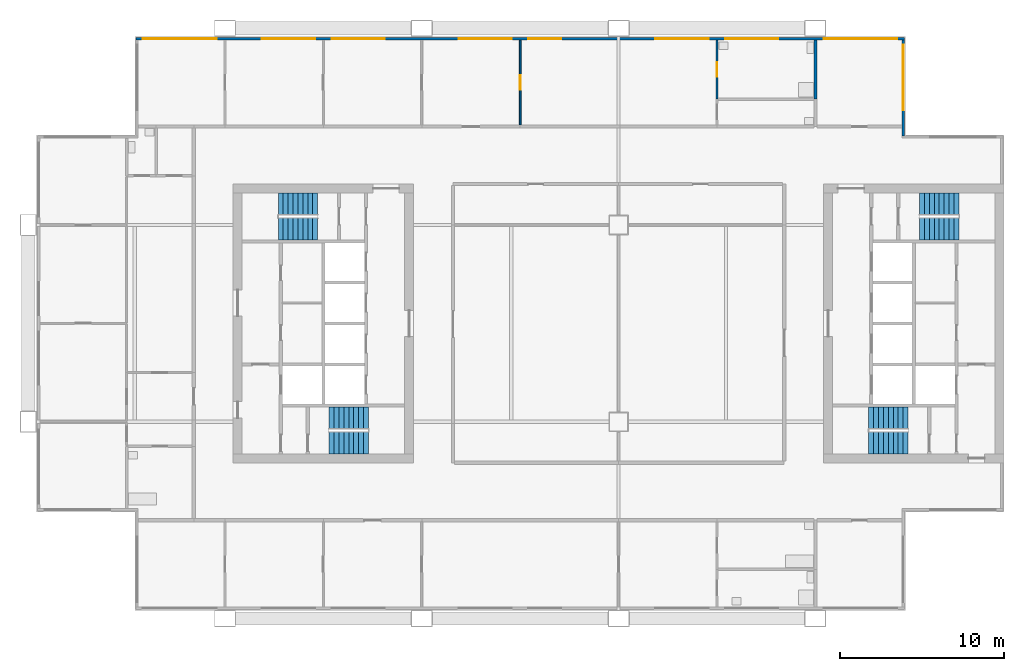
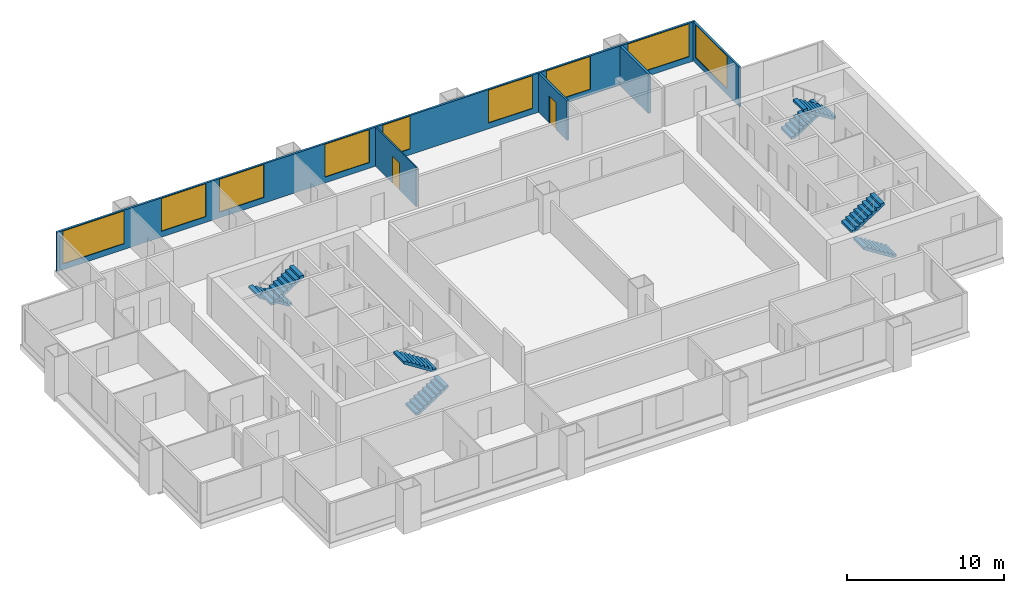
# One storey, part 6 of 8: 9 windows, 8 stair flights, 5 walls, 2 doors, 11 openings, 4 elements without a shape of their own.
"""IFC4 building model written with IfcOpenShell, lengths in metres."""

from ifc_helpers import new_model, si_unit, direction, frame, frame_2d, origin, place, context, subcontext, project, spatial, polyline, rectangle, outline, extrude, material, layer, layer_set, type_object, element, fill, aggregate, save


model = new_model("IFC4")

# Units and contexts
model_context = context("Model", 3, precision=1e-05, world=origin(), true_north=direction((0.0, 1.0)))
body_context = subcontext(model_context, "Body", "Model", "MODEL_VIEW")
ifc_project = project(units=[si_unit("LENGTHUNIT", "METRE"), si_unit("AREAUNIT", "SQUARE_METRE"), si_unit("VOLUMEUNIT", "CUBIC_METRE"), si_unit("PLANEANGLEUNIT", "RADIAN"), si_unit("MASSUNIT", "GRAM", prefix="KILO")], contexts=[model_context])

# Site, building, storey
site_placement = place(None, origin())
site = spatial("IfcSite", under=ifc_project, at=site_placement, CompositionType="ELEMENT")
building_placement = place(site_placement, origin())
building = spatial("IfcBuilding", under=site, at=building_placement, Name="Kitamizu Gate Tower and Museum", CompositionType="ELEMENT")
storey_placement = place(building_placement, frame((0.0, 0.0, 172.050048828125)))
storey = spatial("IfcBuildingStorey", under=building, at=storey_placement, Name="L45", CompositionType="ELEMENT", Elevation=172.050048828125)

# Wall, opening, door
ifc_material_1 = material(Name="Gypsum board on galvanised stud")
ifc_layer_1 = layer(ifc_material_1, 0.10009765625)
ifc_layer_set_1 = layer_set([ifc_layer_1], Name="Gypsum board on galvanised stud")
wall_type_1 = type_object("IfcWallType", Name="Partition 100 NOT RATED", PredefinedType="PARTITIONING", material=ifc_layer_set_1)
wall_1_placement = place(storey_placement, frame((30.0, 42.10009765625, 0.0), z_axis=(0.0, 0.0, 1.0), x_axis=(0.0, 1.0, 0.0)))
wall_1 = element("IfcWall", 1, at=wall_1_placement, inside=storey, type_object=wall_type_1, Name="Partition L45-026", PredefinedType="PARTITIONING", context=body_context, shape_type="SweptSolid", body=[
    extrude(rectangle(XDim=5.179931640625, YDim=0.10009765625, at=frame_2d((2.58984375, 0.0))), origin(), (0.0, 0.0, 1.0), 3.050048828125),
])
opening_1_placement = place(wall_1_placement, frame((2.139892578125, 0.0, 0.0)))
opening_1 = element("IfcOpeningElement", 2, at=opening_1_placement, cuts=wall_1, Name="Opening L45-009", PredefinedType="OPENING", context=body_context, shape_type="SweptSolid", body=[
    extrude(rectangle(XDim=0.89990234375, YDim=2.10009765625, at=frame_2d((0.449951171875, 1.050048828125))), frame((0.0, 0.06005859375, 0.0), z_axis=(0.0, -1.0, 0.0), x_axis=(1.0, 0.0, 0.0)), (0.0, 0.0, 1.0), 0.1201171875),
])
ifc_material_2 = material(Name="Timber door set", Category="wood")
door_type_1 = type_object("IfcDoorType", Name="Room door 900", OperationType="NOTDEFINED", PredefinedType="DOOR", material=ifc_material_2)
door_1_placement = place(opening_1_placement, frame((0.89990234375, 0.0, 0.0), x_axis=(-1.0, 0.0, 0.0)))
door_1 = element("IfcDoor", 3, at=door_1_placement, inside=storey, type_object=door_type_1, Name="Door L45-009", OperationType="SINGLE_SWING_LEFT", OverallHeight=2.10009765625, OverallWidth=0.89990234375, PredefinedType="DOOR", context=body_context, shape_type="SweptSolid", body=[
    extrude(rectangle(XDim=0.89990234375, YDim=2.10009765625, at=frame_2d((0.449951171875, 1.050048828125))), frame((0.0, 0.02490234375, 0.0), z_axis=(0.0, -1.0, 0.0), x_axis=(1.0, 0.0, 0.0)), (0.0, 0.0, 1.0), 0.050048828125),
])
fill(opening_1, door_1)

ifc_material_3 = material(Name="Gypsum board on galvanised stud")
ifc_layer_2 = layer(ifc_material_3, 0.14990234375)
ifc_layer_set_2 = layer_set([ifc_layer_2], Name="Gypsum board on galvanised stud")
wall_type_2 = type_object("IfcWallType", Name="Partition 150", PredefinedType="PARTITIONING", material=ifc_layer_set_2)
wall_2_placement = place(storey_placement, frame((42.0, 43.679931640625, 0.0), z_axis=(0.0, 0.0, 1.0), x_axis=(0.0, 1.0, 0.0)))
wall_2 = element("IfcWall", 4, at=wall_2_placement, inside=storey, type_object=wall_type_2, Name="Partition L45-028", PredefinedType="PARTITIONING", context=body_context, shape_type="SweptSolid", body=[
    extrude(rectangle(XDim=3.60009765625, YDim=0.14990234375, at=frame_2d((1.800048828125, 0.0))), origin(), (0.0, 0.0, 1.0), 3.050048828125),
])
opening_2_placement = place(wall_2_placement, frame((1.35009765625, 0.0, 0.0)))
opening_2 = element("IfcOpeningElement", 5, at=opening_2_placement, cuts=wall_2, Name="Opening L45-010", PredefinedType="OPENING", context=body_context, shape_type="SweptSolid", body=[
    extrude(rectangle(XDim=0.89990234375, YDim=2.10009765625, at=frame_2d((0.449951171875, 1.050048828125))), frame((0.0, 0.0849609375, 0.0), z_axis=(0.0, -1.0, 0.0), x_axis=(1.0, 0.0, 0.0)), (0.0, 0.0, 1.0), 0.169921875),
])
ifc_material_4 = material(Name="Timber door set", Category="wood")
door_type_2 = type_object("IfcDoorType", Name="Bathroom door 900", OperationType="NOTDEFINED", PredefinedType="DOOR", material=ifc_material_4)
door_2_placement = place(opening_2_placement, frame((0.89990234375, 0.0, 0.0), x_axis=(-1.0, 0.0, 0.0)))
door_2 = element("IfcDoor", 6, at=door_2_placement, inside=storey, type_object=door_type_2, Name="Bathroom door L45-010", OperationType="SINGLE_SWING_RIGHT", OverallHeight=2.10009765625, OverallWidth=0.89990234375, PredefinedType="DOOR", context=body_context, shape_type="SweptSolid", body=[
    extrude(rectangle(XDim=0.89990234375, YDim=2.10009765625, at=frame_2d((0.449951171875, 1.050048828125))), frame((0.0, 0.02490234375, 0.0), z_axis=(0.0, -1.0, 0.0), x_axis=(1.0, 0.0, 0.0)), (0.0, 0.0, 1.0), 0.050048828125),
])
fill(opening_2, door_2)

# Wall
ifc_material_5 = material(Name="Gypsum board on galvanised stud")
ifc_layer_3 = layer(ifc_material_5, 0.199951171875)
ifc_layer_set_3 = layer_set([ifc_layer_3], Name="Gypsum board on galvanised stud")
wall_type_3 = type_object("IfcWallType", Name="Partition 200", PredefinedType="PARTITIONING", material=ifc_layer_set_3)
wall_3_placement = place(storey_placement, frame((48.0, 43.679931640625, 0.0), z_axis=(0.0, 0.0, 1.0), x_axis=(0.0, 1.0, 0.0)))
element("IfcWall", 7, at=wall_3_placement, inside=storey, type_object=wall_type_3, Name="Partition L45-033", PredefinedType="PARTITIONING", context=body_context, shape_type="SweptSolid", body=[
    extrude(rectangle(XDim=3.60009765625, YDim=0.199951171875, at=frame_2d((1.800048828125, 0.0))), origin(), (0.0, 0.0, 1.0), 3.050048828125),
])

# Wall, opening, window
ifc_material_6 = material(Name="Bronze anodised aluminium frame with insulated spandrel and tinted glass", Category="aluminium")
ifc_layer_4 = layer(ifc_material_6, 0.14990234375)
ifc_layer_set_4 = layer_set([ifc_layer_4], Name="Bronze anodised aluminium frame with insulated spandrel and tinted glass")
wall_type_4 = type_object("IfcWallType", Name="WINDOW WALL 150 BRONZE FRAME EI 30", PredefinedType="ELEMENTEDWALL", material=ifc_layer_set_4)
wall_4_placement = place(storey_placement, frame((53.364990234375, 41.43994140625, 0.0), z_axis=(0.0, 0.0, 1.0), x_axis=(0.0, 1.0, 0.0)))
wall_4 = element("IfcWall", 8, at=wall_4_placement, inside=storey, type_object=wall_type_4, Name="Window wall east L45", PredefinedType="ELEMENTEDWALL", context=body_context, shape_type="SweptSolid", body=[
    extrude(rectangle(XDim=5.85009765625, YDim=0.14990234375, at=frame_2d((2.925048828125, 0.0))), origin(), (0.0, 0.0, 1.0), 3.050048828125),
])
opening_3_placement = place(wall_4_placement, frame((1.56005859375, 0.0, 0.449951171875)))
opening_3 = element("IfcOpeningElement", 9, at=opening_3_placement, cuts=wall_4, Name="Opening W16", PredefinedType="OPENING", context=body_context, shape_type="SweptSolid", body=[
    extrude(rectangle(XDim=4.0, YDim=2.550048828125, at=frame_2d((2.0, 1.27490234375))), frame((0.0, 0.0849609375, 0.0), z_axis=(0.0, -1.0, 0.0), x_axis=(1.0, 0.0, 0.0)), (0.0, 0.0, 1.0), 0.169921875),
])
ifc_material_7 = material(Name="Bronze anodised aluminium frame, tinted triple glazing", Category="aluminium")
window_type_1 = type_object("IfcWindowType", Name="WINDOW 4000 x 2550 SILL 450", PartitioningType="SINGLE_PANEL", PredefinedType="WINDOW", material=ifc_material_7)
window_1_placement = place(opening_3_placement, origin())
window_1 = element("IfcWindow", 10, at=window_1_placement, inside=storey, type_object=window_type_1, Name="Window W16 L45", OverallHeight=2.550048828125, OverallWidth=4.0, PartitioningType="SINGLE_PANEL", PredefinedType="WINDOW", context=body_context, shape_type="SweptSolid", body=[
    extrude(rectangle(XDim=4.0, YDim=2.550048828125, at=frame_2d((2.0, 1.27490234375))), frame((0.0, 0.030029296875, 0.0), z_axis=(0.0, -1.0, 0.0), x_axis=(1.0, 0.0, 0.0)), (0.0, 0.0, 1.0), 0.06005859375),
])
fill(opening_3, window_1)

# Wall, openings, windows
wall_5_placement = place(storey_placement, frame((6.56005859375, 47.364990234375, 0.0), z_axis=(0.0, 0.0, 1.0), x_axis=(1.0, 0.0, 0.0)))
wall_5 = element("IfcWall", 11, at=wall_5_placement, inside=storey, type_object=wall_type_4, Name="Window wall north L45", PredefinedType="ELEMENTEDWALL", context=body_context, shape_type="SweptSolid", body=[
    extrude(rectangle(XDim=46.8798828125, YDim=0.14990234375, at=frame_2d((23.43994140625, 0.0))), origin(), (0.0, 0.0, 1.0), 3.050048828125),
])
opening_4_placement = place(wall_5_placement, frame((0.43994140625, 0.0, 0.449951171875)))
opening_4 = element("IfcOpeningElement", 12, at=opening_4_placement, cuts=wall_5, Name="Opening W15", PredefinedType="OPENING", context=body_context, shape_type="SweptSolid", body=[
    extrude(rectangle(XDim=4.5, YDim=2.550048828125, at=frame_2d((2.25, 1.27490234375))), frame((0.0, 0.0849609375, 0.0), z_axis=(0.0, -1.0, 0.0), x_axis=(1.0, 0.0, 0.0)), (0.0, 0.0, 1.0), 0.169921875),
])
opening_5_placement = place(wall_5_placement, frame((7.68994140625, 0.0, 0.449951171875)))
opening_5 = element("IfcOpeningElement", 13, at=opening_5_placement, cuts=wall_5, Name="Opening W34", PredefinedType="OPENING", context=body_context, shape_type="SweptSolid", body=[
    extrude(rectangle(XDim=3.25, YDim=2.550048828125, at=frame_2d((1.625, 1.27490234375))), frame((0.0, 0.0849609375, 0.0), z_axis=(0.0, -1.0, 0.0), x_axis=(1.0, 0.0, 0.0)), (0.0, 0.0, 1.0), 0.169921875),
])
opening_6_placement = place(wall_5_placement, frame((11.93994140625, 0.0, 0.449951171875)))
opening_6 = element("IfcOpeningElement", 14, at=opening_6_placement, cuts=wall_5, Name="Opening W34", PredefinedType="OPENING", context=body_context, shape_type="SweptSolid", body=[
    extrude(rectangle(XDim=3.25, YDim=2.550048828125, at=frame_2d((1.625, 1.27490234375))), frame((0.0, 0.0849609375, 0.0), z_axis=(0.0, -1.0, 0.0), x_axis=(1.0, 0.0, 0.0)), (0.0, 0.0, 1.0), 0.169921875),
])
opening_7_placement = place(wall_5_placement, frame((19.68994140625, 0.0, 0.449951171875)))
opening_7 = element("IfcOpeningElement", 15, at=opening_7_placement, cuts=wall_5, Name="Opening W34", PredefinedType="OPENING", context=body_context, shape_type="SweptSolid", body=[
    extrude(rectangle(XDim=3.25, YDim=2.550048828125, at=frame_2d((1.625, 1.27490234375))), frame((0.0, 0.0849609375, 0.0), z_axis=(0.0, -1.0, 0.0), x_axis=(1.0, 0.0, 0.0)), (0.0, 0.0, 1.0), 0.169921875),
])
opening_8_placement = place(wall_5_placement, frame((23.93994140625, 0.0, 0.449951171875)))
opening_8 = element("IfcOpeningElement", 16, at=opening_8_placement, cuts=wall_5, Name="Opening W2", PredefinedType="OPENING", context=body_context, shape_type="SweptSolid", body=[
    extrude(rectangle(XDim=2.0, YDim=2.550048828125, at=frame_2d((1.0, 1.27490234375))), frame((0.0, 0.0849609375, 0.0), z_axis=(0.0, -1.0, 0.0), x_axis=(1.0, 0.0, 0.0)), (0.0, 0.0, 1.0), 0.169921875),
])
opening_9_placement = place(wall_5_placement, frame((31.68994140625, 0.0, 0.449951171875)))
opening_9 = element("IfcOpeningElement", 17, at=opening_9_placement, cuts=wall_5, Name="Opening W34", PredefinedType="OPENING", context=body_context, shape_type="SweptSolid", body=[
    extrude(rectangle(XDim=3.25, YDim=2.550048828125, at=frame_2d((1.625, 1.27490234375))), frame((0.0, 0.0849609375, 0.0), z_axis=(0.0, -1.0, 0.0), x_axis=(1.0, 0.0, 0.0)), (0.0, 0.0, 1.0), 0.169921875),
])
opening_10_placement = place(wall_5_placement, frame((35.93994140625, 0.0, 0.449951171875)))
opening_10 = element("IfcOpeningElement", 18, at=opening_10_placement, cuts=wall_5, Name="Opening W34", PredefinedType="OPENING", context=body_context, shape_type="SweptSolid", body=[
    extrude(rectangle(XDim=3.25, YDim=2.550048828125, at=frame_2d((1.625, 1.27490234375))), frame((0.0, 0.0849609375, 0.0), z_axis=(0.0, -1.0, 0.0), x_axis=(1.0, 0.0, 0.0)), (0.0, 0.0, 1.0), 0.169921875),
])
opening_11_placement = place(wall_5_placement, frame((41.93994140625, 0.0, 0.449951171875)))
opening_11 = element("IfcOpeningElement", 19, at=opening_11_placement, cuts=wall_5, Name="Opening W15", PredefinedType="OPENING", context=body_context, shape_type="SweptSolid", body=[
    extrude(rectangle(XDim=4.5, YDim=2.550048828125, at=frame_2d((2.25, 1.27490234375))), frame((0.0, 0.0849609375, 0.0), z_axis=(0.0, -1.0, 0.0), x_axis=(1.0, 0.0, 0.0)), (0.0, 0.0, 1.0), 0.169921875),
])
ifc_material_8 = material(Name="Bronze anodised aluminium frame, tinted triple glazing", Category="aluminium")
window_type_2 = type_object("IfcWindowType", Name="WINDOW 2000 x 2550 SILL 450", PartitioningType="SINGLE_PANEL", PredefinedType="WINDOW", material=ifc_material_8)
window_2_placement = place(opening_8_placement, origin())
window_2 = element("IfcWindow", 20, at=window_2_placement, inside=storey, type_object=window_type_2, Name="Window W2 L45", OverallHeight=2.550048828125, OverallWidth=2.0, PartitioningType="SINGLE_PANEL", PredefinedType="WINDOW", context=body_context, shape_type="SweptSolid", body=[
    extrude(rectangle(XDim=2.0, YDim=2.550048828125, at=frame_2d((1.0, 1.27490234375))), frame((0.0, 0.030029296875, 0.0), z_axis=(0.0, -1.0, 0.0), x_axis=(1.0, 0.0, 0.0)), (0.0, 0.0, 1.0), 0.06005859375),
])
fill(opening_8, window_2)
ifc_material_9 = material(Name="Bronze anodised aluminium frame, tinted triple glazing", Category="aluminium")
window_type_3 = type_object("IfcWindowType", Name="WINDOW 3250 x 2550 SILL 450", PartitioningType="SINGLE_PANEL", PredefinedType="WINDOW", material=ifc_material_9)
window_3_placement = place(opening_5_placement, origin())
window_3 = element("IfcWindow", 21, at=window_3_placement, inside=storey, type_object=window_type_3, Name="Window W34 L45", OverallHeight=2.550048828125, OverallWidth=3.25, PartitioningType="SINGLE_PANEL", PredefinedType="WINDOW", context=body_context, shape_type="SweptSolid", body=[
    extrude(rectangle(XDim=3.25, YDim=2.550048828125, at=frame_2d((1.625, 1.27490234375))), frame((0.0, 0.030029296875, 0.0), z_axis=(0.0, -1.0, 0.0), x_axis=(1.0, 0.0, 0.0)), (0.0, 0.0, 1.0), 0.06005859375),
])
fill(opening_5, window_3)
window_4_placement = place(opening_6_placement, origin())
window_4 = element("IfcWindow", 22, at=window_4_placement, inside=storey, type_object=window_type_3, Name="Window W34 L45", OverallHeight=2.550048828125, OverallWidth=3.25, PartitioningType="SINGLE_PANEL", PredefinedType="WINDOW", context=body_context, shape_type="SweptSolid", body=[
    extrude(rectangle(XDim=3.25, YDim=2.550048828125, at=frame_2d((1.625, 1.27490234375))), frame((0.0, 0.030029296875, 0.0), z_axis=(0.0, -1.0, 0.0), x_axis=(1.0, 0.0, 0.0)), (0.0, 0.0, 1.0), 0.06005859375),
])
fill(opening_6, window_4)
window_5_placement = place(opening_7_placement, origin())
window_5 = element("IfcWindow", 23, at=window_5_placement, inside=storey, type_object=window_type_3, Name="Window W34 L45", OverallHeight=2.550048828125, OverallWidth=3.25, PartitioningType="SINGLE_PANEL", PredefinedType="WINDOW", context=body_context, shape_type="SweptSolid", body=[
    extrude(rectangle(XDim=3.25, YDim=2.550048828125, at=frame_2d((1.625, 1.27490234375))), frame((0.0, 0.030029296875, 0.0), z_axis=(0.0, -1.0, 0.0), x_axis=(1.0, 0.0, 0.0)), (0.0, 0.0, 1.0), 0.06005859375),
])
fill(opening_7, window_5)
window_6_placement = place(opening_9_placement, origin())
window_6 = element("IfcWindow", 24, at=window_6_placement, inside=storey, type_object=window_type_3, Name="Window W34 L45", OverallHeight=2.550048828125, OverallWidth=3.25, PartitioningType="SINGLE_PANEL", PredefinedType="WINDOW", context=body_context, shape_type="SweptSolid", body=[
    extrude(rectangle(XDim=3.25, YDim=2.550048828125, at=frame_2d((1.625, 1.27490234375))), frame((0.0, 0.030029296875, 0.0), z_axis=(0.0, -1.0, 0.0), x_axis=(1.0, 0.0, 0.0)), (0.0, 0.0, 1.0), 0.06005859375),
])
fill(opening_9, window_6)
window_7_placement = place(opening_10_placement, origin())
window_7 = element("IfcWindow", 25, at=window_7_placement, inside=storey, type_object=window_type_3, Name="Window W34 L45", OverallHeight=2.550048828125, OverallWidth=3.25, PartitioningType="SINGLE_PANEL", PredefinedType="WINDOW", context=body_context, shape_type="SweptSolid", body=[
    extrude(rectangle(XDim=3.25, YDim=2.550048828125, at=frame_2d((1.625, 1.27490234375))), frame((0.0, 0.030029296875, 0.0), z_axis=(0.0, -1.0, 0.0), x_axis=(1.0, 0.0, 0.0)), (0.0, 0.0, 1.0), 0.06005859375),
])
fill(opening_10, window_7)
ifc_material_10 = material(Name="Bronze anodised aluminium frame, tinted triple glazing", Category="aluminium")
window_type_4 = type_object("IfcWindowType", Name="WINDOW 4500 x 2550 SILL 450", PartitioningType="SINGLE_PANEL", PredefinedType="WINDOW", material=ifc_material_10)
window_8_placement = place(opening_4_placement, origin())
window_8 = element("IfcWindow", 26, at=window_8_placement, inside=storey, type_object=window_type_4, Name="Window W15 L45", OverallHeight=2.550048828125, OverallWidth=4.5, PartitioningType="SINGLE_PANEL", PredefinedType="WINDOW", context=body_context, shape_type="SweptSolid", body=[
    extrude(rectangle(XDim=4.5, YDim=2.550048828125, at=frame_2d((2.25, 1.27490234375))), frame((0.0, 0.030029296875, 0.0), z_axis=(0.0, -1.0, 0.0), x_axis=(1.0, 0.0, 0.0)), (0.0, 0.0, 1.0), 0.06005859375),
])
fill(opening_4, window_8)
window_9_placement = place(opening_11_placement, origin())
window_9 = element("IfcWindow", 27, at=window_9_placement, inside=storey, type_object=window_type_4, Name="Window W15 L45", OverallHeight=2.550048828125, OverallWidth=4.5, PartitioningType="SINGLE_PANEL", PredefinedType="WINDOW", context=body_context, shape_type="SweptSolid", body=[
    extrude(rectangle(XDim=4.5, YDim=2.550048828125, at=frame_2d((2.25, 1.27490234375))), frame((0.0, 0.030029296875, 0.0), z_axis=(0.0, -1.0, 0.0), x_axis=(1.0, 0.0, 0.0)), (0.0, 0.0, 1.0), 0.06005859375),
])
fill(opening_11, window_9)

# Stair, stair flights
ifc_material_11 = material(Name="Concrete Fc42", Category="concrete")
stair_type = type_object("IfcStairType", Name="Exit stair 1325 wide 192 rise 300 going", PredefinedType="HALF_TURN_STAIR", material=ifc_material_11)
stair_1_placement = place(storey_placement, origin())
stair_1 = element("IfcStair", 28, at=stair_1_placement, inside=storey, type_object=stair_type, Name="Exit stair ST1", PredefinedType="HALF_TURN_STAIR")
ifc_material_12 = material(Name="Concrete Fc42", Category="concrete")
stair_flight_type = type_object("IfcStairFlightType", Name="Stair flight 1325 wide 192 rise 300 going", PredefinedType="STRAIGHT", material=ifc_material_12)
stair_flight_1_placement = place(storey_placement, frame((18.35009765625, 22.71240234375, 0.0), z_axis=(0.0, 0.0, 1.0), x_axis=(1.0, 0.0, 0.0)))
stair_flight_1 = element("IfcStairFlight", 29, at=stair_flight_1_placement, type_object=stair_flight_type, Name="ST1 flight 1", NumberOfRisers=9, NumberOfTreads=8, PredefinedType="STRAIGHT", RiserHeight=0.191666667, TreadLength=0.3, context=body_context, shape_type="SweptSolid", body=[
    extrude(outline(polyline([(0.0, 0.0), (0.0, 0.191650390625), (0.300048828125, 0.191650390625), (0.300048828125, 0.38330078125), (0.60009765625, 0.38330078125), (0.60009765625, 0.574951171875), (0.89990234375, 0.574951171875), (0.89990234375, 0.7666015625), (1.199951171875, 0.7666015625), (1.199951171875, 0.958251953125), (1.5, 0.958251953125), (1.5, 1.14990234375), (1.800048828125, 1.14990234375), (1.800048828125, 1.341552734375), (2.10009765625, 1.341552734375), (2.10009765625, 1.533447265625), (2.39990234375, 1.533447265625), (2.39990234375, 1.72509765625), (2.39990234375, 1.35546875), (0.2783203125, 0.0), (0.0, 0.0)])), frame((0.0, 0.66259765625, 0.0), z_axis=(0.0, -1.0, 0.0), x_axis=(1.0, 0.0, 0.0)), (0.0, 0.0, 1.0), 1.324951171875),
])
stair_flight_2_placement = place(storey_placement, frame((20.75, 24.237548828125, 1.724853515625), z_axis=(0.0, 0.0, 1.0), x_axis=(-1.0, 0.0, 0.0)))
stair_flight_2 = element("IfcStairFlight", 30, at=stair_flight_2_placement, type_object=stair_flight_type, Name="ST1 flight 2", NumberOfRisers=9, NumberOfTreads=8, PredefinedType="STRAIGHT", RiserHeight=0.191666667, TreadLength=0.3, context=body_context, shape_type="SweptSolid", body=[
    extrude(outline(polyline([(0.0, 0.0), (0.0, 0.191650390625), (0.300048828125, 0.191650390625), (0.300048828125, 0.38330078125), (0.60009765625, 0.38330078125), (0.60009765625, 0.574951171875), (0.89990234375, 0.574951171875), (0.89990234375, 0.7666015625), (1.199951171875, 0.7666015625), (1.199951171875, 0.958251953125), (1.5, 0.958251953125), (1.5, 1.14990234375), (1.800048828125, 1.14990234375), (1.800048828125, 1.341552734375), (2.10009765625, 1.341552734375), (2.10009765625, 1.533447265625), (2.39990234375, 1.533447265625), (2.39990234375, 1.72509765625), (2.39990234375, 1.35546875), (0.2783203125, 0.0), (0.0, 0.0)])), frame((0.0, 0.66259765625, 0.0), z_axis=(0.0, -1.0, 0.0), x_axis=(1.0, 0.0, 0.0)), (0.0, 0.0, 1.0), 1.324951171875),
])
aggregate(stair_1, [stair_flight_1, stair_flight_2])

stair_2_placement = place(storey_placement, origin())
stair_2 = element("IfcStair", 31, at=stair_2_placement, inside=storey, type_object=stair_type, Name="Exit stair ST2", PredefinedType="HALF_TURN_STAIR")
stair_flight_3_placement = place(storey_placement, frame((17.64990234375, 37.28759765625, 0.0), z_axis=(0.0, 0.0, 1.0), x_axis=(-1.0, 0.0, 0.0)))
stair_flight_3 = element("IfcStairFlight", 32, at=stair_flight_3_placement, type_object=stair_flight_type, Name="ST2 flight 1", NumberOfRisers=9, NumberOfTreads=8, PredefinedType="STRAIGHT", RiserHeight=0.191666667, TreadLength=0.3, context=body_context, shape_type="SweptSolid", body=[
    extrude(outline(polyline([(0.0, 0.0), (0.0, 0.191650390625), (0.300048828125, 0.191650390625), (0.300048828125, 0.38330078125), (0.60009765625, 0.38330078125), (0.60009765625, 0.574951171875), (0.89990234375, 0.574951171875), (0.89990234375, 0.7666015625), (1.199951171875, 0.7666015625), (1.199951171875, 0.958251953125), (1.5, 0.958251953125), (1.5, 1.14990234375), (1.800048828125, 1.14990234375), (1.800048828125, 1.341552734375), (2.10009765625, 1.341552734375), (2.10009765625, 1.533447265625), (2.39990234375, 1.533447265625), (2.39990234375, 1.72509765625), (2.39990234375, 1.35546875), (0.2783203125, 0.0), (0.0, 0.0)])), frame((0.0, 0.66259765625, 0.0), z_axis=(0.0, -1.0, 0.0), x_axis=(1.0, 0.0, 0.0)), (0.0, 0.0, 1.0), 1.324951171875),
])
stair_flight_4_placement = place(storey_placement, frame((15.25, 35.762451171875, 1.724853515625), z_axis=(0.0, 0.0, 1.0), x_axis=(1.0, 0.0, 0.0)))
stair_flight_4 = element("IfcStairFlight", 33, at=stair_flight_4_placement, type_object=stair_flight_type, Name="ST2 flight 2", NumberOfRisers=9, NumberOfTreads=8, PredefinedType="STRAIGHT", RiserHeight=0.191666667, TreadLength=0.3, context=body_context, shape_type="SweptSolid", body=[
    extrude(outline(polyline([(0.0, 0.0), (0.0, 0.191650390625), (0.300048828125, 0.191650390625), (0.300048828125, 0.38330078125), (0.60009765625, 0.38330078125), (0.60009765625, 0.574951171875), (0.89990234375, 0.574951171875), (0.89990234375, 0.7666015625), (1.199951171875, 0.7666015625), (1.199951171875, 0.958251953125), (1.5, 0.958251953125), (1.5, 1.14990234375), (1.800048828125, 1.14990234375), (1.800048828125, 1.341552734375), (2.10009765625, 1.341552734375), (2.10009765625, 1.533447265625), (2.39990234375, 1.533447265625), (2.39990234375, 1.72509765625), (2.39990234375, 1.35546875), (0.2783203125, 0.0), (0.0, 0.0)])), frame((0.0, 0.66259765625, 0.0), z_axis=(0.0, -1.0, 0.0), x_axis=(1.0, 0.0, 0.0)), (0.0, 0.0, 1.0), 1.324951171875),
])
aggregate(stair_2, [stair_flight_3, stair_flight_4])

stair_3_placement = place(storey_placement, origin())
stair_3 = element("IfcStair", 34, at=stair_3_placement, inside=storey, type_object=stair_type, Name="Exit stair ST3", PredefinedType="HALF_TURN_STAIR")
stair_flight_5_placement = place(storey_placement, frame((53.64990234375, 22.71240234375, 0.0), z_axis=(0.0, 0.0, 1.0), x_axis=(-1.0, 0.0, 0.0)))
stair_flight_5 = element("IfcStairFlight", 35, at=stair_flight_5_placement, type_object=stair_flight_type, Name="ST3 flight 1", NumberOfRisers=9, NumberOfTreads=8, PredefinedType="STRAIGHT", RiserHeight=0.191666667, TreadLength=0.3, context=body_context, shape_type="SweptSolid", body=[
    extrude(outline(polyline([(0.0, 0.0), (0.0, 0.191650390625), (0.300048828125, 0.191650390625), (0.300048828125, 0.38330078125), (0.60009765625, 0.38330078125), (0.60009765625, 0.574951171875), (0.89990234375, 0.574951171875), (0.89990234375, 0.7666015625), (1.199951171875, 0.7666015625), (1.199951171875, 0.958251953125), (1.5, 0.958251953125), (1.5, 1.14990234375), (1.800048828125, 1.14990234375), (1.800048828125, 1.341552734375), (2.10009765625, 1.341552734375), (2.10009765625, 1.533447265625), (2.39990234375, 1.533447265625), (2.39990234375, 1.72509765625), (2.39990234375, 1.35546875), (0.2783203125, 0.0), (0.0, 0.0)])), frame((0.0, 0.66259765625, 0.0), z_axis=(0.0, -1.0, 0.0), x_axis=(1.0, 0.0, 0.0)), (0.0, 0.0, 1.0), 1.324951171875),
])
stair_flight_6_placement = place(storey_placement, frame((51.25, 24.237548828125, 1.724853515625), z_axis=(0.0, 0.0, 1.0), x_axis=(1.0, 0.0, 0.0)))
stair_flight_6 = element("IfcStairFlight", 36, at=stair_flight_6_placement, type_object=stair_flight_type, Name="ST3 flight 2", NumberOfRisers=9, NumberOfTreads=8, PredefinedType="STRAIGHT", RiserHeight=0.191666667, TreadLength=0.3, context=body_context, shape_type="SweptSolid", body=[
    extrude(outline(polyline([(0.0, 0.0), (0.0, 0.191650390625), (0.300048828125, 0.191650390625), (0.300048828125, 0.38330078125), (0.60009765625, 0.38330078125), (0.60009765625, 0.574951171875), (0.89990234375, 0.574951171875), (0.89990234375, 0.7666015625), (1.199951171875, 0.7666015625), (1.199951171875, 0.958251953125), (1.5, 0.958251953125), (1.5, 1.14990234375), (1.800048828125, 1.14990234375), (1.800048828125, 1.341552734375), (2.10009765625, 1.341552734375), (2.10009765625, 1.533447265625), (2.39990234375, 1.533447265625), (2.39990234375, 1.72509765625), (2.39990234375, 1.35546875), (0.2783203125, 0.0), (0.0, 0.0)])), frame((0.0, 0.66259765625, 0.0), z_axis=(0.0, -1.0, 0.0), x_axis=(1.0, 0.0, 0.0)), (0.0, 0.0, 1.0), 1.324951171875),
])
aggregate(stair_3, [stair_flight_5, stair_flight_6])

stair_4_placement = place(storey_placement, origin())
stair_4 = element("IfcStair", 37, at=stair_4_placement, inside=storey, type_object=stair_type, Name="Exit stair ST4", PredefinedType="HALF_TURN_STAIR")
stair_flight_7_placement = place(storey_placement, frame((54.35009765625, 37.28759765625, 0.0), z_axis=(0.0, 0.0, 1.0), x_axis=(1.0, 0.0, 0.0)))
stair_flight_7 = element("IfcStairFlight", 38, at=stair_flight_7_placement, type_object=stair_flight_type, Name="ST4 flight 1", NumberOfRisers=9, NumberOfTreads=8, PredefinedType="STRAIGHT", RiserHeight=0.191666667, TreadLength=0.3, context=body_context, shape_type="SweptSolid", body=[
    extrude(outline(polyline([(0.0, 0.0), (0.0, 0.191650390625), (0.300048828125, 0.191650390625), (0.300048828125, 0.38330078125), (0.60009765625, 0.38330078125), (0.60009765625, 0.574951171875), (0.89990234375, 0.574951171875), (0.89990234375, 0.7666015625), (1.199951171875, 0.7666015625), (1.199951171875, 0.958251953125), (1.5, 0.958251953125), (1.5, 1.14990234375), (1.800048828125, 1.14990234375), (1.800048828125, 1.341552734375), (2.10009765625, 1.341552734375), (2.10009765625, 1.533447265625), (2.39990234375, 1.533447265625), (2.39990234375, 1.72509765625), (2.39990234375, 1.35546875), (0.2783203125, 0.0), (0.0, 0.0)])), frame((0.0, 0.66259765625, 0.0), z_axis=(0.0, -1.0, 0.0), x_axis=(1.0, 0.0, 0.0)), (0.0, 0.0, 1.0), 1.324951171875),
])
stair_flight_8_placement = place(storey_placement, frame((56.75, 35.762451171875, 1.724853515625), z_axis=(0.0, 0.0, 1.0), x_axis=(-1.0, 0.0, 0.0)))
stair_flight_8 = element("IfcStairFlight", 39, at=stair_flight_8_placement, type_object=stair_flight_type, Name="ST4 flight 2", NumberOfRisers=9, NumberOfTreads=8, PredefinedType="STRAIGHT", RiserHeight=0.191666667, TreadLength=0.3, context=body_context, shape_type="SweptSolid", body=[
    extrude(outline(polyline([(0.0, 0.0), (0.0, 0.191650390625), (0.300048828125, 0.191650390625), (0.300048828125, 0.38330078125), (0.60009765625, 0.38330078125), (0.60009765625, 0.574951171875), (0.89990234375, 0.574951171875), (0.89990234375, 0.7666015625), (1.199951171875, 0.7666015625), (1.199951171875, 0.958251953125), (1.5, 0.958251953125), (1.5, 1.14990234375), (1.800048828125, 1.14990234375), (1.800048828125, 1.341552734375), (2.10009765625, 1.341552734375), (2.10009765625, 1.533447265625), (2.39990234375, 1.533447265625), (2.39990234375, 1.72509765625), (2.39990234375, 1.35546875), (0.2783203125, 0.0), (0.0, 0.0)])), frame((0.0, 0.66259765625, 0.0), z_axis=(0.0, -1.0, 0.0), x_axis=(1.0, 0.0, 0.0)), (0.0, 0.0, 1.0), 1.324951171875),
])
aggregate(stair_4, [stair_flight_7, stair_flight_8])

save(model, "model.ifc")
